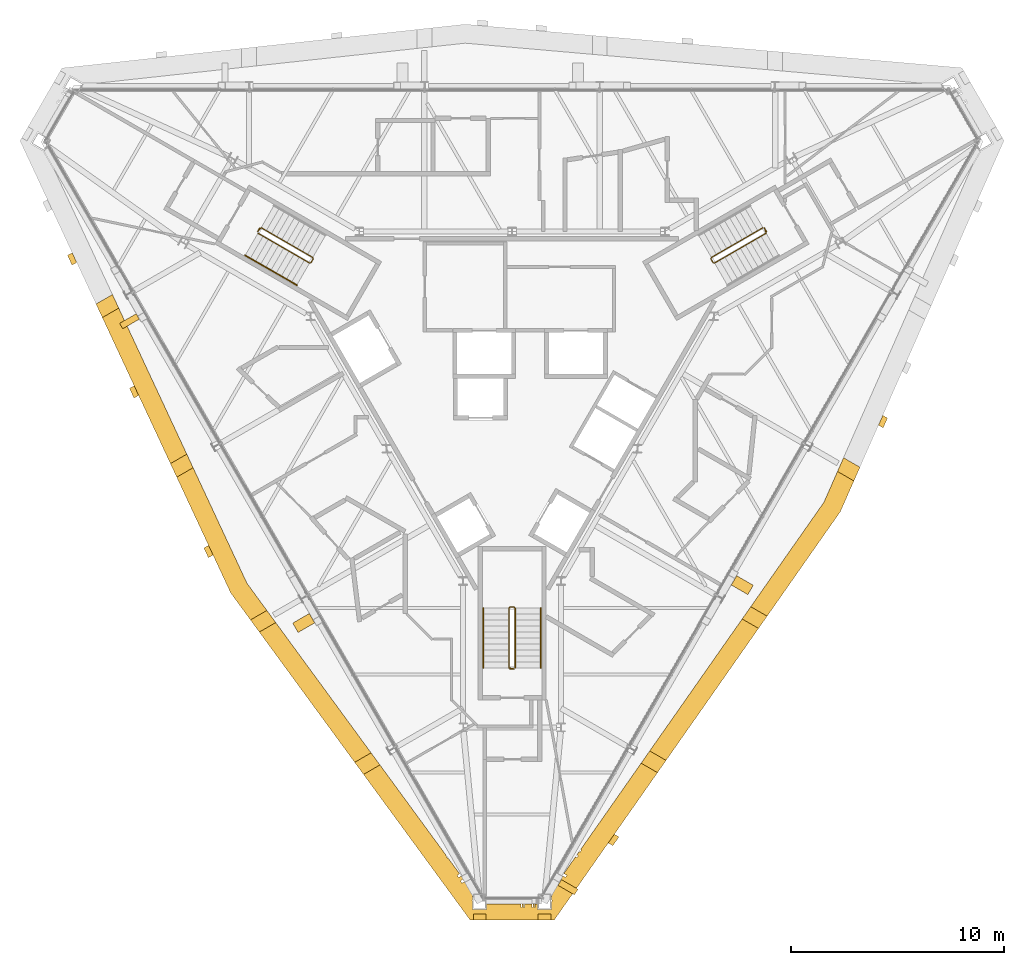
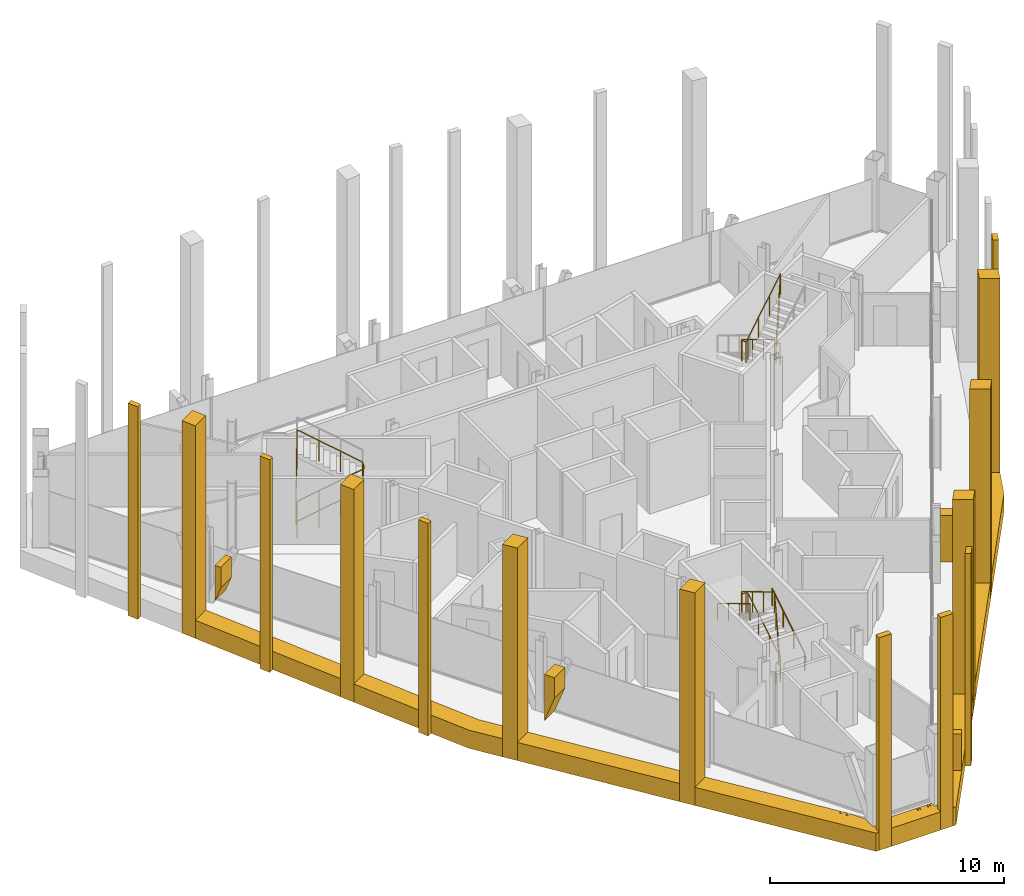
# One storey, part 12 of 13: 24 coverings, 6 railings.
"""IFC4 building model written with IfcOpenShell, lengths in metres."""

from ifc_helpers import new_model, si_unit, direction, frame, origin, origin_2d, place, context, subcontext, project, spatial, polyline, circle, outline, extrude, material, layer, layer_set, type_object, element, save


model = new_model("IFC4")

# Units and contexts
model_context = context("Model", 3, precision=1e-05, world=origin(), true_north=direction((0.0, 1.0)))
body_context = subcontext(model_context, "Body", "Model", "MODEL_VIEW")
ifc_project = project(units=[si_unit("LENGTHUNIT", "METRE"), si_unit("AREAUNIT", "SQUARE_METRE"), si_unit("VOLUMEUNIT", "CUBIC_METRE"), si_unit("PLANEANGLEUNIT", "RADIAN"), si_unit("MASSUNIT", "GRAM", prefix="KILO")], contexts=[model_context])

# Site, building, storey
site_placement = place(None, origin())
site = spatial("IfcSite", under=ifc_project, at=site_placement, CompositionType="ELEMENT")
building_placement = place(site_placement, origin())
building = spatial("IfcBuilding", under=site, at=building_placement, Name="Verrane Prism Tower", CompositionType="ELEMENT")
storey_placement = place(building_placement, frame((0.0, 0.0, 286.199951171875)))
storey = spatial("IfcBuildingStorey", under=building, at=storey_placement, Name="L72", CompositionType="ELEMENT", Elevation=286.199951171875)

# Railings
ifc_material_1 = material(Name="Steel A36 rail and posts, no infill", Category="steel")
railing_type_1 = type_object("IfcRailingType", Name="Stair guard 1100 steel rail and posts", PredefinedType="GUARDRAIL", material=ifc_material_1)
railing_1_placement = place(storey_placement, frame((11.78955078125, 6.97998046875, 0.168212890625)))
element("IfcRailing", 1, at=railing_1_placement, inside=storey, type_object=railing_type_1, Name="Stair 1 guard", PredefinedType="GUARDRAIL", context=body_context, shape_type="SweptSolid", body=[
    extrude(circle(Radius=0.02392578125, at=origin_2d()), frame((0.0, 0.0, 1.076171875), z_axis=(-0.742366697286, -0.42866220388, 0.514917859203), x_axis=(0.500049511043, -0.865996816683, 0.0)), (0.0, 0.0, 1.0), 3.266357421875),
    extrude(circle(Radius=0.02392578125, at=origin_2d()), frame((-2.4248046875, -1.400146484375, 2.7578125), z_axis=(-0.259601060869, -0.965715946433, 0.0), x_axis=(0.965715946433, -0.259601060869, 0.0)), (0.0, 0.0, 1.0), 0.070556640625),
    extrude(circle(Radius=0.02392578125, at=origin_2d()), frame((-2.443115234375, -1.46826171875, 2.7578125), z_axis=(0.499158860599, -0.866510491504, 0.0), x_axis=(0.866510491504, 0.499158860599, 0.0)), (0.0, 0.0, 1.0), 0.199951171875),
    extrude(circle(Radius=0.02392578125, at=origin_2d()), frame((-2.34326171875, -1.6416015625, 2.7578125), z_axis=(0.374585375571, -0.100335368456, 0.921747584887), x_axis=(0.258736085224, 0.965948051503, 0.0)), (0.0, 0.0, 1.0), 0.182373046875),
    extrude(circle(Radius=0.02392578125, at=origin_2d()), frame((-2.27490234375, -1.659912109375, 2.92626953125), z_axis=(0.742395268701, 0.428678701772, 0.514862928999), x_axis=(-0.500049511043, 0.865996816683, 0.0)), (0.0, 0.0, 1.0), 3.26611328125),
    extrude(circle(Radius=0.02392578125, at=origin_2d()), frame((0.14990234375, -0.259765625, 4.60791015625), z_axis=(-0.021986835041, 0.065104730107, -0.997636182785), x_axis=(-0.947430582667, -0.3199613899, 0.0)), (0.0, 0.0, 1.0), 3.708740234375),
    extrude(circle(Radius=0.02392578125, at=origin_2d()), frame((0.068359375, -0.018310546875, 0.90771484375), z_axis=(0.499158860599, -0.866510491504, 0.0), x_axis=(0.866510491504, 0.499158860599, 0.0)), (0.0, 0.0, 1.0), 0.199951171875),
    extrude(circle(Radius=0.02099609375, at=origin_2d()), origin(), (0.0, 0.0, 1.0), 1.052001953125),
    extrude(circle(Radius=0.02099609375, at=origin_2d()), frame((-0.808349609375, -0.466796875, 0.560546875)), (0.0, 0.0, 1.0), 1.052001953125),
    extrude(circle(Radius=0.02099609375, at=origin_2d()), frame((-1.616455078125, -0.933349609375, 1.121337890625)), (0.0, 0.0, 1.0), 1.052001953125),
    extrude(circle(Radius=0.02099609375, at=origin_2d()), frame((-2.4248046875, -1.400146484375, 1.681884765625)), (0.0, 0.0, 1.0), 1.052001953125),
    extrude(circle(Radius=0.02099609375, at=origin_2d()), frame((-2.443115234375, -1.46826171875, 1.681884765625)), (0.0, 0.0, 1.0), 1.052001953125),
    extrude(circle(Radius=0.02099609375, at=origin_2d()), frame((-2.34326171875, -1.6416015625, 1.681884765625)), (0.0, 0.0, 1.0), 1.052001953125),
    extrude(circle(Radius=0.02099609375, at=origin_2d()), frame((-2.27490234375, -1.659912109375, 1.85009765625)), (0.0, 0.0, 1.0), 1.052001953125),
    extrude(circle(Radius=0.02099609375, at=origin_2d()), frame((-1.466552734375, -1.193115234375, 2.41064453125)), (0.0, 0.0, 1.0), 1.052001953125),
    extrude(circle(Radius=0.02099609375, at=origin_2d()), frame((-0.658447265625, -0.7265625, 2.97119140625)), (0.0, 0.0, 1.0), 1.052001953125),
    extrude(circle(Radius=0.02099609375, at=origin_2d()), frame((0.14990234375, -0.259765625, 3.53173828125)), (0.0, 0.0, 1.0), 1.052001953125),
    extrude(circle(Radius=0.02099609375, at=origin_2d()), frame((0.12939453125, -0.199462890625, 2.606689453125)), (0.0, 0.0, 1.0), 1.052001953125),
    extrude(circle(Radius=0.02099609375, at=origin_2d()), frame((0.109130859375, -0.13916015625, 1.681640625)), (0.0, 0.0, 1.0), 1.052001953125),
    extrude(circle(Radius=0.02099609375, at=origin_2d()), frame((0.0888671875, -0.07861328125, 0.7568359375)), (0.0, 0.0, 1.0), 1.052001953125),
    extrude(circle(Radius=0.02099609375, at=origin_2d()), frame((0.068359375, -0.018310546875, -0.168212890625)), (0.0, 0.0, 1.0), 1.052001953125),
    extrude(circle(Radius=0.02099609375, at=origin_2d()), frame((0.168212890625, -0.191650390625, -0.168212890625)), (0.0, 0.0, 1.0), 1.052001953125),
])
railing_2_placement = place(storey_placement, frame((-11.939453125, 6.72021484375, 0.168212890625)))
element("IfcRailing", 2, at=railing_2_placement, inside=storey, type_object=railing_type_1, Name="Stair 2 guard", PredefinedType="GUARDRAIL", context=body_context, shape_type="SweptSolid", body=[
    extrude(circle(Radius=0.02392578125, at=origin_2d()), frame((0.0, 0.0, 1.076171875), z_axis=(0.742366697286, -0.42866220388, 0.514917859203), x_axis=(0.500049511043, 0.865996816683, 0.0)), (0.0, 0.0, 1.0), 3.266357421875),
    extrude(circle(Radius=0.02392578125, at=origin_2d()), frame((2.4248046875, -1.400146484375, 2.7578125), z_axis=(0.965948051503, 0.258736085224, 0.0), x_axis=(-0.258736085224, 0.965948051503, 0.0)), (0.0, 0.0, 1.0), 0.07080078125),
    extrude(circle(Radius=0.02392578125, at=origin_2d()), frame((2.4931640625, -1.3818359375, 2.7578125), z_axis=(0.499158860599, 0.866510491504, 0.0), x_axis=(-0.866510491504, 0.499158860599, 0.0)), (0.0, 0.0, 1.0), 0.199951171875),
    extrude(circle(Radius=0.02392578125, at=origin_2d()), frame((2.593017578125, -1.20849609375, 2.7578125), z_axis=(-0.100385596638, 0.373434419493, 0.922209014446), x_axis=(-0.965715946433, -0.259601060869, 0.0)), (0.0, 0.0, 1.0), 0.182373046875),
    extrude(circle(Radius=0.02392578125, at=origin_2d()), frame((2.57470703125, -1.140380859375, 2.92626953125), z_axis=(-0.742395268701, 0.428678701772, 0.514862928999), x_axis=(-0.500049511043, -0.865996816683, 0.0)), (0.0, 0.0, 1.0), 3.26611328125),
    extrude(circle(Radius=0.02392578125, at=origin_2d()), frame((0.14990234375, 0.259765625, 4.60791015625), z_axis=(-0.04535595117, -0.051675503147, -0.99763343973), x_axis=(0.751567565678, -0.659656118156, 0.0)), (0.0, 0.0, 1.0), 3.708740234375),
    extrude(circle(Radius=0.02392578125, at=origin_2d()), frame((-0.018310546875, 0.068115234375, 0.90771484375), z_axis=(0.499158860599, 0.866510491504, 0.0), x_axis=(-0.866510491504, 0.499158860599, 0.0)), (0.0, 0.0, 1.0), 0.199951171875),
    extrude(circle(Radius=0.02099609375, at=origin_2d()), origin(), (0.0, 0.0, 1.0), 1.052001953125),
    extrude(circle(Radius=0.02099609375, at=origin_2d()), frame((0.808349609375, -0.466796875, 0.560546875)), (0.0, 0.0, 1.0), 1.052001953125),
    extrude(circle(Radius=0.02099609375, at=origin_2d()), frame((1.616455078125, -0.933349609375, 1.121337890625)), (0.0, 0.0, 1.0), 1.052001953125),
    extrude(circle(Radius=0.02099609375, at=origin_2d()), frame((2.4248046875, -1.400146484375, 1.681884765625)), (0.0, 0.0, 1.0), 1.052001953125),
    extrude(circle(Radius=0.02099609375, at=origin_2d()), frame((2.4931640625, -1.3818359375, 1.681884765625)), (0.0, 0.0, 1.0), 1.052001953125),
    extrude(circle(Radius=0.02099609375, at=origin_2d()), frame((2.593017578125, -1.20849609375, 1.681884765625)), (0.0, 0.0, 1.0), 1.052001953125),
    extrude(circle(Radius=0.02099609375, at=origin_2d()), frame((2.57470703125, -1.140380859375, 1.85009765625)), (0.0, 0.0, 1.0), 1.052001953125),
    extrude(circle(Radius=0.02099609375, at=origin_2d()), frame((1.766357421875, -0.673583984375, 2.41064453125)), (0.0, 0.0, 1.0), 1.052001953125),
    extrude(circle(Radius=0.02099609375, at=origin_2d()), frame((0.958251953125, -0.20703125, 2.97119140625)), (0.0, 0.0, 1.0), 1.052001953125),
    extrude(circle(Radius=0.02099609375, at=origin_2d()), frame((0.14990234375, 0.259765625, 3.53173828125)), (0.0, 0.0, 1.0), 1.052001953125),
    extrude(circle(Radius=0.02099609375, at=origin_2d()), frame((0.10791015625, 0.2119140625, 2.606689453125)), (0.0, 0.0, 1.0), 1.052001953125),
    extrude(circle(Radius=0.02099609375, at=origin_2d()), frame((0.06591796875, 0.1640625, 1.681640625)), (0.0, 0.0, 1.0), 1.052001953125),
    extrude(circle(Radius=0.02099609375, at=origin_2d()), frame((0.023681640625, 0.115966796875, 0.7568359375)), (0.0, 0.0, 1.0), 1.052001953125),
    extrude(circle(Radius=0.02099609375, at=origin_2d()), frame((-0.018310546875, 0.068115234375, -0.168212890625)), (0.0, 0.0, 1.0), 1.052001953125),
    extrude(circle(Radius=0.02099609375, at=origin_2d()), frame((0.08154296875, 0.241455078125, -0.168212890625)), (0.0, 0.0, 1.0), 1.052001953125),
])
railing_3_placement = place(storey_placement, frame((0.14990234375, -13.699951171875, 0.168212890625)))
element("IfcRailing", 3, at=railing_3_placement, inside=storey, type_object=railing_type_1, Name="Stair 3 guard", PredefinedType="GUARDRAIL", context=body_context, shape_type="SweptSolid", body=[
    extrude(circle(Radius=0.02392578125, at=origin_2d()), frame((0.0, 0.0, 1.076171875), z_axis=(0.0, 0.857242210791, 0.514913383045), x_axis=(-1.0, 0.0, 0.0)), (0.0, 0.0, 1.0), 3.266357421875),
    extrude(circle(Radius=0.02392578125, at=origin_2d()), frame((0.0, 2.800048828125, 2.7578125), z_axis=(-0.707106781187, 0.707106781187, 0.0), x_axis=(-0.707106781187, -0.707106781187, 0.0)), (0.0, 0.0, 1.0), 0.0703125),
    extrude(circle(Radius=0.02392578125, at=origin_2d()), frame((-0.0498046875, 2.849853515625, 2.7578125), z_axis=(-1.0, 0.0, 0.0), x_axis=(0.0, -1.0, 0.0)), (0.0, 0.0, 1.0), 0.2001953125),
    extrude(circle(Radius=0.02392578125, at=origin_2d()), frame((-0.25, 2.849853515625, 2.7578125), z_axis=(-0.273106073848, -0.273106073848, 0.922402376869), x_axis=(0.707106781187, -0.707106781187, 0.0)), (0.0, 0.0, 1.0), 0.182373046875),
    extrude(circle(Radius=0.02392578125, at=origin_2d()), frame((-0.2998046875, 2.800048828125, 2.92626953125), z_axis=(0.0, -0.857275202839, 0.514858452973), x_axis=(1.0, 0.0, 0.0)), (0.0, 0.0, 1.0), 3.26611328125),
    extrude(circle(Radius=0.02392578125, at=origin_2d()), frame((-0.2998046875, 0.0, 4.60791015625), z_axis=(0.067408604812, -0.013494886706, -0.997634185476), x_axis=(0.196300278283, 0.98054382908, 0.0)), (0.0, 0.0, 1.0), 3.708740234375),
    extrude(circle(Radius=0.02392578125, at=origin_2d()), frame((-0.0498046875, -0.050048828125, 0.90771484375), z_axis=(-1.0, 0.0, 0.0), x_axis=(0.0, -1.0, 0.0)), (0.0, 0.0, 1.0), 0.2001953125),
    extrude(circle(Radius=0.02099609375, at=origin_2d()), origin(), (0.0, 0.0, 1.0), 1.052001953125),
    extrude(circle(Radius=0.02099609375, at=origin_2d()), frame((0.0, 0.933349609375, 0.560546875)), (0.0, 0.0, 1.0), 1.052001953125),
    extrude(circle(Radius=0.02099609375, at=origin_2d()), frame((0.0, 1.86669921875, 1.121337890625)), (0.0, 0.0, 1.0), 1.052001953125),
    extrude(circle(Radius=0.02099609375, at=origin_2d()), frame((0.0, 2.800048828125, 1.681884765625)), (0.0, 0.0, 1.0), 1.052001953125),
    extrude(circle(Radius=0.02099609375, at=origin_2d()), frame((-0.0498046875, 2.849853515625, 1.681884765625)), (0.0, 0.0, 1.0), 1.052001953125),
    extrude(circle(Radius=0.02099609375, at=origin_2d()), frame((-0.25, 2.849853515625, 1.681884765625)), (0.0, 0.0, 1.0), 1.052001953125),
    extrude(circle(Radius=0.02099609375, at=origin_2d()), frame((-0.2998046875, 2.800048828125, 1.85009765625)), (0.0, 0.0, 1.0), 1.052001953125),
    extrude(circle(Radius=0.02099609375, at=origin_2d()), frame((-0.2998046875, 1.86669921875, 2.41064453125)), (0.0, 0.0, 1.0), 1.052001953125),
    extrude(circle(Radius=0.02099609375, at=origin_2d()), frame((-0.2998046875, 0.933349609375, 2.97119140625)), (0.0, 0.0, 1.0), 1.052001953125),
    extrude(circle(Radius=0.02099609375, at=origin_2d()), frame((-0.2998046875, 0.0, 3.53173828125)), (0.0, 0.0, 1.0), 1.052001953125),
    extrude(circle(Radius=0.02099609375, at=origin_2d()), frame((-0.2373046875, -0.012451171875, 2.606689453125)), (0.0, 0.0, 1.0), 1.052001953125),
    extrude(circle(Radius=0.02099609375, at=origin_2d()), frame((-0.1748046875, -0.02490234375, 1.681640625)), (0.0, 0.0, 1.0), 1.052001953125),
    extrude(circle(Radius=0.02099609375, at=origin_2d()), frame((-0.1123046875, -0.03759765625, 0.7568359375)), (0.0, 0.0, 1.0), 1.052001953125),
    extrude(circle(Radius=0.02099609375, at=origin_2d()), frame((-0.0498046875, -0.050048828125, -0.168212890625)), (0.0, 0.0, 1.0), 1.052001953125),
    extrude(circle(Radius=0.02099609375, at=origin_2d()), frame((-0.25, -0.050048828125, -0.168212890625)), (0.0, 0.0, 1.0), 1.052001953125),
])
ifc_material_2 = material(Name="Steel A36 tube", Category="steel")
railing_type_2 = type_object("IfcRailingType", Name="Stair handrail 900 steel tube", PredefinedType="HANDRAIL", material=ifc_material_2)
railing_4_placement = place(storey_placement, frame((-12.53955078125, 5.680908203125, 0.168212890625)))
element("IfcRailing", 4, at=railing_4_placement, inside=storey, type_object=railing_type_2, Name="Stair 2 handrail", PredefinedType="HANDRAIL", context=body_context, shape_type="SweptSolid", body=[
    extrude(circle(Radius=0.02392578125, at=origin_2d()), frame((0.0, 0.0, 0.8759765625), z_axis=(0.742366697286, -0.42866220388, 0.514917859203), x_axis=(0.500049511043, 0.865996816683, 0.0)), (0.0, 0.0, 1.0), 3.266357421875),
    extrude(circle(Radius=0.02099609375, at=origin_2d()), origin(), (0.0, 0.0, 1.0), 0.851806640625),
    extrude(circle(Radius=0.02099609375, at=origin_2d()), frame((0.808349609375, -0.466796875, 0.560546875)), (0.0, 0.0, 1.0), 0.851806640625),
    extrude(circle(Radius=0.02099609375, at=origin_2d()), frame((1.616455078125, -0.933349609375, 1.121337890625)), (0.0, 0.0, 1.0), 0.851806640625),
    extrude(circle(Radius=0.02099609375, at=origin_2d()), frame((2.4248046875, -1.400146484375, 1.681884765625)), (0.0, 0.0, 1.0), 0.851806640625),
])
railing_5_placement = place(storey_placement, frame((1.35009765625, -13.699951171875, 0.168212890625)))
element("IfcRailing", 5, at=railing_5_placement, inside=storey, type_object=railing_type_2, Name="Stair 3 handrail", PredefinedType="HANDRAIL", context=body_context, shape_type="SweptSolid", body=[
    extrude(circle(Radius=0.02392578125, at=origin_2d()), frame((0.0, 0.0, 0.8759765625), z_axis=(0.0, 0.857242210791, 0.514913383045), x_axis=(-1.0, 0.0, 0.0)), (0.0, 0.0, 1.0), 3.266357421875),
    extrude(circle(Radius=0.02099609375, at=origin_2d()), origin(), (0.0, 0.0, 1.0), 0.851806640625),
    extrude(circle(Radius=0.02099609375, at=origin_2d()), frame((0.0, 0.933349609375, 0.560546875)), (0.0, 0.0, 1.0), 0.851806640625),
    extrude(circle(Radius=0.02099609375, at=origin_2d()), frame((0.0, 1.86669921875, 1.121337890625)), (0.0, 0.0, 1.0), 0.851806640625),
    extrude(circle(Radius=0.02099609375, at=origin_2d()), frame((0.0, 2.800048828125, 1.681884765625)), (0.0, 0.0, 1.0), 0.851806640625),
])
railing_6_placement = place(storey_placement, frame((-1.35009765625, -10.89990234375, 2.018310546875)))
element("IfcRailing", 6, at=railing_6_placement, inside=storey, type_object=railing_type_2, Name="Stair 3 handrail", PredefinedType="HANDRAIL", context=body_context, shape_type="SweptSolid", body=[
    extrude(circle(Radius=0.02392578125, at=origin_2d()), frame((0.0, 0.0, 0.8759765625), z_axis=(0.0, -0.857275202839, 0.514858452973), x_axis=(1.0, 0.0, 0.0)), (0.0, 0.0, 1.0), 3.26611328125),
    extrude(circle(Radius=0.02099609375, at=origin_2d()), origin(), (0.0, 0.0, 1.0), 0.851806640625),
    extrude(circle(Radius=0.02099609375, at=origin_2d()), frame((0.0, -0.933349609375, 0.560546875)), (0.0, 0.0, 1.0), 0.851806640625),
    extrude(circle(Radius=0.02099609375, at=origin_2d()), frame((0.0, -1.86669921875, 1.12109375)), (0.0, 0.0, 1.0), 0.851806640625),
    extrude(circle(Radius=0.02099609375, at=origin_2d()), frame((0.0, -2.800048828125, 1.681640625)), (0.0, 0.0, 1.0), 0.851806640625),
])

# Coverings
ifc_material_3 = material(Name="Warm limestone cladding", Category="masonry")
ifc_layer_1 = layer(ifc_material_3, 0.89990234375)
ifc_layer_set_1 = layer_set([ifc_layer_1], Name="Stone brace fin 900")
covering_type_1 = type_object("IfcCoveringType", Name="Stone brace fin 900", PredefinedType="CLADDING", material=ifc_layer_set_1)
covering_1_placement = place(storey_placement, frame((-18.050048828125, 2.710693359375, 0.899169921875), z_axis=(0.0, 0.0, 1.0), x_axis=(0.499818765479, -0.866130014302, 0.0)))
element("IfcCovering", 7, at=covering_1_placement, inside=storey, type_object=covering_type_1, Name="Stone brace fin SW2 L72", PredefinedType="CLADDING", context=body_context, shape_type="SweptSolid", body=[
    extrude(outline(polyline([(0.29248046875, 1.850830078125), (0.0, 1.850830078125), (0.0, 0.0), (0.29248046875, 0.78759765625), (0.29248046875, 1.850830078125)])), frame((0.0, 0.449951171875, 0.0), z_axis=(0.0, -1.0, 0.0), x_axis=(1.0, 0.0, 0.0)), (0.0, 0.0, 1.0), 0.89990234375),
])
covering_2_placement = place(storey_placement, frame((-9.917236328125, -11.37353515625, 0.3212890625), z_axis=(0.0, 0.0, 1.0), x_axis=(0.499764133855, -0.866161538347, 0.0)))
element("IfcCovering", 8, at=covering_2_placement, inside=storey, type_object=covering_type_1, Name="Stone brace fin SW4 L72", PredefinedType="CLADDING", context=body_context, shape_type="SweptSolid", body=[
    extrude(outline(polyline([(0.507080078125, 2.4287109375), (0.0, 2.4287109375), (0.0, 0.0), (0.507080078125, 1.365478515625), (0.507080078125, 2.4287109375)])), frame((0.0, 0.449951171875, 0.0), z_axis=(0.0, -1.0, 0.0), x_axis=(1.0, 0.0, 0.0)), (0.0, 0.0, 1.0), 0.89990234375),
])
covering_3_placement = place(storey_placement, frame((2.547607421875, -24.14501953125, 0.846435546875), z_axis=(0.0, 0.0, 1.0), x_axis=(0.499925626596, 0.866068339032, 0.0)))
element("IfcCovering", 9, at=covering_3_placement, inside=storey, type_object=covering_type_1, Name="Stone brace fin SE1 L72", PredefinedType="CLADDING", context=body_context, shape_type="SweptSolid", body=[
    extrude(outline(polyline([(0.31201171875, 1.903564453125), (0.0, 1.903564453125), (0.0, 0.0), (0.31201171875, 0.84033203125), (0.31201171875, 1.903564453125)])), frame((0.0, 0.449951171875, 0.0), z_axis=(0.0, -1.0, 0.0), x_axis=(1.0, 0.0, 0.0)), (0.0, 0.0, 1.0), 0.89990234375),
])
covering_4_placement = place(storey_placement, frame((10.690185546875, -10.03515625, 0.320068359375), z_axis=(0.0, 0.0, 1.0), x_axis=(0.50039003532, 0.865800099649, 0.0)))
element("IfcCovering", 10, at=covering_4_placement, inside=storey, type_object=covering_type_1, Name="Stone brace fin SE3 L72", PredefinedType="CLADDING", context=body_context, shape_type="SweptSolid", body=[
    extrude(outline(polyline([(0.506591796875, 2.429931640625), (0.0, 2.429931640625), (0.0, 0.0), (0.506591796875, 1.365478515625), (0.506591796875, 2.429931640625)])), frame((0.0, 0.449951171875, 0.0), z_axis=(0.0, -1.0, 0.0), x_axis=(1.0, 0.0, 0.0)), (0.0, 0.0, 1.0), 0.89990234375),
])
ifc_material_4 = material(Name="Warm limestone cladding", Category="masonry")
covering_type_2 = type_object("IfcCoveringType", Name="Stone corner pier 600", PredefinedType="CLADDING", material=ifc_material_4)
covering_5_placement = place(storey_placement, frame((0.0, 0.0, -0.949951171875)))
element("IfcCovering", 11, at=covering_5_placement, inside=storey, type_object=covering_type_2, Name="Stone pier MC-S.a L72-L74", PredefinedType="CLADDING", context=body_context, shape_type="SweptSolid", body=[
    extrude(outline(polyline([(-1.218994140625, -25.26904296875), (-1.819091796875, -25.26904296875), (-1.819091796875, -25.5537109375), (-1.218994140625, -25.5537109375), (-1.218994140625, -25.26904296875)])), origin(), (0.0, 0.0, 1.0), 11.10009765625),
])
covering_6_placement = place(storey_placement, frame((0.0, 0.0, -0.949951171875)))
element("IfcCovering", 12, at=covering_6_placement, inside=storey, type_object=covering_type_2, Name="Stone pier MC-S.b L72-L74", PredefinedType="CLADDING", context=body_context, shape_type="SweptSolid", body=[
    extrude(outline(polyline([(1.819091796875, -25.26904296875), (1.218994140625, -25.26904296875), (1.218994140625, -25.5537109375), (1.819091796875, -25.5537109375), (1.819091796875, -25.26904296875)])), origin(), (0.0, 0.0, 1.0), 11.10009765625),
])
ifc_material_5 = material(Name="Warm limestone cladding", Category="masonry")
covering_type_3 = type_object("IfcCoveringType", Name="Stone mullion pier 500", PredefinedType="CLADDING", material=ifc_material_5)
covering_7_placement = place(storey_placement, frame((0.0, 0.0, -0.949951171875)))
element("IfcCovering", 13, at=covering_7_placement, inside=storey, type_object=covering_type_3, Name="Stone pier SM-SW0.2 L72-L74", PredefinedType="CLADDING", context=body_context, shape_type="SweptSolid", body=[
    extrude(outline(polyline([(-20.456787109375, 5.347900390625), (-20.668701171875, 5.802978515625), (-20.885986328125, 5.677490234375), (-20.674072265625, 5.22265625), (-20.456787109375, 5.347900390625)])), origin(), (0.0, 0.0, 1.0), 11.10009765625),
])
covering_8_placement = place(storey_placement, frame((0.0, 0.0, -0.949951171875)))
element("IfcCovering", 14, at=covering_8_placement, inside=storey, type_object=covering_type_3, Name="Stone pier SM-SW1.1 L72-L74", PredefinedType="CLADDING", context=body_context, shape_type="SweptSolid", body=[
    extrude(outline(polyline([(-17.54443359375, -0.901123046875), (-17.75634765625, -0.4462890625), (-17.973876953125, -0.57177734375), (-17.76171875, -1.026611328125), (-17.54443359375, -0.901123046875)])), origin(), (0.0, 0.0, 1.0), 11.10009765625),
])
covering_9_placement = place(storey_placement, frame((0.0, 0.0, -0.949951171875)))
element("IfcCovering", 15, at=covering_9_placement, inside=storey, type_object=covering_type_3, Name="Stone pier SM-SW2.1 L72-L74", PredefinedType="CLADDING", context=body_context, shape_type="SweptSolid", body=[
    extrude(outline(polyline([(-14.049560546875, -8.400146484375), (-14.26171875, -7.9453125), (-14.47900390625, -8.07080078125), (-14.266845703125, -8.525634765625), (-14.049560546875, -8.400146484375)])), origin(), (0.0, 0.0, 1.0), 11.10009765625),
])
covering_10_placement = place(storey_placement, frame((0.0, 0.0, -0.949951171875)))
element("IfcCovering", 16, at=covering_10_placement, inside=storey, type_object=covering_type_3, Name="Stone pier SM-SE0.1 L72-L74", PredefinedType="CLADDING", context=body_context, shape_type="SweptSolid", body=[
    extrude(outline(polyline([(4.8056640625, -21.51953125), (4.517578125, -21.930419921875), (4.735107421875, -22.055908203125), (5.02294921875, -21.64501953125), (4.8056640625, -21.51953125)])), origin(), (0.0, 0.0, 1.0), 11.10009765625),
])
covering_11_placement = place(storey_placement, frame((0.0, 0.0, -0.949951171875)))
element("IfcCovering", 17, at=covering_11_placement, inside=storey, type_object=covering_type_3, Name="Stone pier SM-SE3.1 L72-L74", PredefinedType="CLADDING", context=body_context, shape_type="SweptSolid", body=[
    extrude(outline(polyline([(17.420166015625, -1.838134765625), (17.21728515625, -2.29833984375), (17.43505859375, -2.424072265625), (17.637939453125, -1.9638671875), (17.420166015625, -1.838134765625)])), origin(), (0.0, 0.0, 1.0), 11.10009765625),
])
ifc_material_6 = material(Name="Warm limestone cladding", Category="masonry")
covering_type_4 = type_object("IfcCoveringType", Name="Stone pier 700", PredefinedType="CLADDING", material=ifc_material_6)
covering_12_placement = place(storey_placement, frame((0.0, 0.0, -0.949951171875)))
element("IfcCovering", 18, at=covering_12_placement, inside=storey, type_object=covering_type_4, Name="Stone pier PC-SW1 L72-L74", PredefinedType="CLADDING", context=body_context, shape_type="SweptSolid", body=[
    extrude(outline(polyline([(-19.24951171875, 2.75732421875), (-18.480224609375, 3.201416015625), (-18.777099609375, 3.83837890625), (-19.54638671875, 3.394287109375), (-19.24951171875, 2.75732421875)])), origin(), (0.0, 0.0, 1.0), 11.10009765625),
])
covering_13_placement = place(storey_placement, frame((0.0, 0.0, -0.949951171875)))
element("IfcCovering", 19, at=covering_13_placement, inside=storey, type_object=covering_type_4, Name="Stone pier PC-SW2 L72-L74", PredefinedType="CLADDING", context=body_context, shape_type="SweptSolid", body=[
    extrude(outline(polyline([(-15.754638671875, -4.74169921875), (-14.9853515625, -4.297607421875), (-15.2822265625, -3.66064453125), (-16.051513671875, -4.104736328125), (-15.754638671875, -4.74169921875)])), origin(), (0.0, 0.0, 1.0), 11.10009765625),
])
covering_14_placement = place(storey_placement, frame((0.0, 0.0, -0.949951171875)))
element("IfcCovering", 20, at=covering_14_placement, inside=storey, type_object=covering_type_4, Name="Stone pier PC-SW3 L72-L74", PredefinedType="CLADDING", context=body_context, shape_type="SweptSolid", body=[
    extrude(outline(polyline([(-11.874755859375, -12.018310546875), (-11.10400390625, -11.573486328125), (-11.519775390625, -11.005126953125), (-12.29052734375, -11.4501953125), (-11.874755859375, -12.018310546875)])), origin(), (0.0, 0.0, 1.0), 11.10009765625),
])
covering_15_placement = place(storey_placement, frame((0.0, 0.0, -0.949951171875)))
element("IfcCovering", 21, at=covering_15_placement, inside=storey, type_object=covering_type_4, Name="Stone pier PC-SW4 L72-L74", PredefinedType="CLADDING", context=body_context, shape_type="SweptSolid", body=[
    extrude(outline(polyline([(-6.978271484375, -18.708251953125), (-6.20751953125, -18.26318359375), (-6.623291015625, -17.695068359375), (-7.394287109375, -18.14013671875), (-6.978271484375, -18.708251953125)])), origin(), (0.0, 0.0, 1.0), 11.10009765625),
])
covering_16_placement = place(storey_placement, frame((0.0, 0.0, -0.949951171875)))
element("IfcCovering", 22, at=covering_16_placement, inside=storey, type_object=covering_type_4, Name="Stone pier PC-SE1 L72-L74", PredefinedType="CLADDING", context=body_context, shape_type="SweptSolid", body=[
    extrude(outline(polyline([(7.23681640625, -18.04931640625), (6.467529296875, -17.60498046875), (6.064208984375, -18.1806640625), (6.83349609375, -18.624755859375), (7.23681640625, -18.04931640625)])), origin(), (0.0, 0.0, 1.0), 11.10009765625),
])
covering_17_placement = place(storey_placement, frame((0.0, 0.0, -0.949951171875)))
element("IfcCovering", 23, at=covering_17_placement, inside=storey, type_object=covering_type_4, Name="Stone pier PC-SE2 L72-L74", PredefinedType="CLADDING", context=body_context, shape_type="SweptSolid", body=[
    extrude(outline(polyline([(11.983642578125, -11.27294921875), (11.214599609375, -10.828857421875), (10.811279296875, -11.404296875), (11.58056640625, -11.848388671875), (11.983642578125, -11.27294921875)])), origin(), (0.0, 0.0, 1.0), 11.10009765625),
])
covering_18_placement = place(storey_placement, frame((0.0, 0.0, -0.949951171875)))
element("IfcCovering", 24, at=covering_18_placement, inside=storey, type_object=covering_type_4, Name="Stone pier PC-SE3 L72-L74", PredefinedType="CLADDING", context=body_context, shape_type="SweptSolid", body=[
    extrude(outline(polyline([(16.345703125, -4.274658203125), (15.57470703125, -3.82958984375), (15.290771484375, -4.473876953125), (16.0615234375, -4.918701171875), (16.345703125, -4.274658203125)])), origin(), (0.0, 0.0, 1.0), 11.10009765625),
])
ifc_material_7 = material(Name="Warm limestone cladding", Category="masonry")
ifc_layer_2 = layer(ifc_material_7, 0.449951171875)
ifc_layer_set_2 = layer_set([ifc_layer_2], Name="Stone spandrel band 450")
covering_type_5 = type_object("IfcCoveringType", Name="Stone spandrel band 450", PredefinedType="CLADDING", material=ifc_layer_set_2)
covering_19_placement = place(storey_placement, frame((0.0, 0.0, -0.949951171875)))
element("IfcCovering", 25, at=covering_19_placement, inside=storey, type_object=covering_type_5, Name="Stone spandrel band L72 part 3", PredefinedType="CLADDING", context=body_context, shape_type="SweptSolid", body=[
    extrude(outline(polyline([(1.9794921875, -25.5537109375), (6.83349609375, -18.624755859375), (6.064208984375, -18.1806640625), (3.22314453125, -22.236572265625), (3.2587890625, -22.257080078125), (3.199951171875, -22.35888671875), (3.1552734375, -22.333251953125), (3.047607421875, -22.487060546875), (3.1064453125, -22.52099609375), (3.04541015625, -22.626953125), (2.97705078125, -22.587646484375), (2.431640625, -23.3662109375), (2.572021484375, -23.447021484375), (2.51318359375, -23.548828125), (2.367919921875, -23.465087890625), (2.2744140625, -23.627197265625), (2.419677734375, -23.7109375), (2.358642578125, -23.81689453125), (2.21337890625, -23.733154296875), (1.85009765625, -24.3623046875), (1.85009765625, -24.611083984375), (1.8876953125, -24.6328125), (1.85009765625, -24.6982421875), (1.85009765625, -25.050048828125), (1.18994140625, -25.050048828125), (1.18994140625, -24.802490234375), (1.08349609375, -24.802490234375), (1.08349609375, -24.969970703125), (1.053955078125, -24.969970703125), (1.053955078125, -24.802490234375), (0.972900390625, -24.802490234375), (0.972900390625, -24.969970703125), (0.92578125, -24.969970703125), (0.92578125, -24.802490234375), (0.57666015625, -24.802490234375), (0.57666015625, -24.969970703125), (0.547119140625, -24.969970703125), (0.547119140625, -24.802490234375), (0.466064453125, -24.802490234375), (0.466064453125, -24.969970703125), (0.419189453125, -24.969970703125), (0.419189453125, -24.802490234375), (-1.18994140625, -24.802490234375), (-1.18994140625, -25.050048828125), (-1.85009765625, -25.050048828125), (-1.85009765625, -24.6982421875), (-1.8876953125, -24.6328125), (-1.85009765625, -24.611083984375), (-1.85009765625, -24.3623046875), (-2.21337890625, -23.733154296875), (-2.358642578125, -23.81689453125), (-2.419677734375, -23.7109375), (-2.279541015625, -23.6298828125), (-2.390625, -23.478271484375), (-2.51318359375, -23.548828125), (-2.572021484375, -23.447021484375), (-2.46044921875, -23.3828125), (-3.02294921875, -22.614013671875), (-3.04541015625, -22.626953125), (-3.1064453125, -22.52099609375), (-3.095703125, -22.514892578125), (-6.20751953125, -18.26318359375), (-6.978271484375, -18.708251953125), (-1.968017578125, -25.5537109375), (-1.819091796875, -25.5537109375), (-1.819091796875, -25.26904296875), (-1.218994140625, -25.26904296875), (-1.218994140625, -25.5537109375), (1.218994140625, -25.5537109375), (1.218994140625, -25.26904296875), (1.819091796875, -25.26904296875), (1.819091796875, -25.5537109375), (1.9794921875, -25.5537109375)])), origin(), (0.0, 0.0, 1.0), 0.949951171875),
])
covering_20_placement = place(storey_placement, frame((0.0, 0.0, -0.949951171875)))
element("IfcCovering", 26, at=covering_20_placement, inside=storey, type_object=covering_type_5, Name="Stone spandrel band L72 part 4", PredefinedType="CLADDING", context=body_context, shape_type="SweptSolid", body=[
    extrude(outline(polyline([(-15.2822265625, -3.66064453125), (-18.480224609375, 3.201416015625), (-19.24951171875, 2.75732421875), (-16.051513671875, -4.104736328125), (-15.2822265625, -3.66064453125)])), origin(), (0.0, 0.0, 1.0), 0.949951171875),
])
covering_21_placement = place(storey_placement, frame((0.0, 0.0, -0.949951171875)))
element("IfcCovering", 27, at=covering_21_placement, inside=storey, type_object=covering_type_5, Name="Stone spandrel band L72 part 5", PredefinedType="CLADDING", context=body_context, shape_type="SweptSolid", body=[
    extrude(outline(polyline([(-12.29052734375, -11.4501953125), (-11.519775390625, -11.005126953125), (-12.454345703125, -9.728515625), (-14.9853515625, -4.297607421875), (-15.754638671875, -4.74169921875), (-13.2197265625, -10.180908203125), (-12.29052734375, -11.4501953125)])), origin(), (0.0, 0.0, 1.0), 0.949951171875),
])
covering_22_placement = place(storey_placement, frame((0.0, 0.0, -0.949951171875)))
element("IfcCovering", 28, at=covering_22_placement, inside=storey, type_object=covering_type_5, Name="Stone spandrel band L72 part 6", PredefinedType="CLADDING", context=body_context, shape_type="SweptSolid", body=[
    extrude(outline(polyline([(-7.394287109375, -18.14013671875), (-6.623291015625, -17.695068359375), (-11.10400390625, -11.573486328125), (-11.874755859375, -12.018310546875), (-7.394287109375, -18.14013671875)])), origin(), (0.0, 0.0, 1.0), 0.949951171875),
])
covering_23_placement = place(storey_placement, frame((0.0, 0.0, -0.949951171875)))
element("IfcCovering", 29, at=covering_23_placement, inside=storey, type_object=covering_type_5, Name="Stone spandrel band L72 part 7", PredefinedType="CLADDING", context=body_context, shape_type="SweptSolid", body=[
    extrude(outline(polyline([(11.58056640625, -11.848388671875), (10.811279296875, -11.404296875), (6.467529296875, -17.60498046875), (7.23681640625, -18.04931640625), (11.58056640625, -11.848388671875)])), origin(), (0.0, 0.0, 1.0), 0.949951171875),
])
covering_24_placement = place(storey_placement, frame((0.0, 0.0, -0.949951171875)))
element("IfcCovering", 30, at=covering_24_placement, inside=storey, type_object=covering_type_5, Name="Stone spandrel band L72 part 8", PredefinedType="CLADDING", context=body_context, shape_type="SweptSolid", body=[
    extrude(outline(polyline([(16.0615234375, -4.918701171875), (15.290771484375, -4.473876953125), (14.652099609375, -5.921630859375), (11.214599609375, -10.828857421875), (11.983642578125, -11.27294921875), (15.4267578125, -6.358154296875), (16.0615234375, -4.918701171875)])), origin(), (0.0, 0.0, 1.0), 0.949951171875),
])

save(model, "model.ifc")
